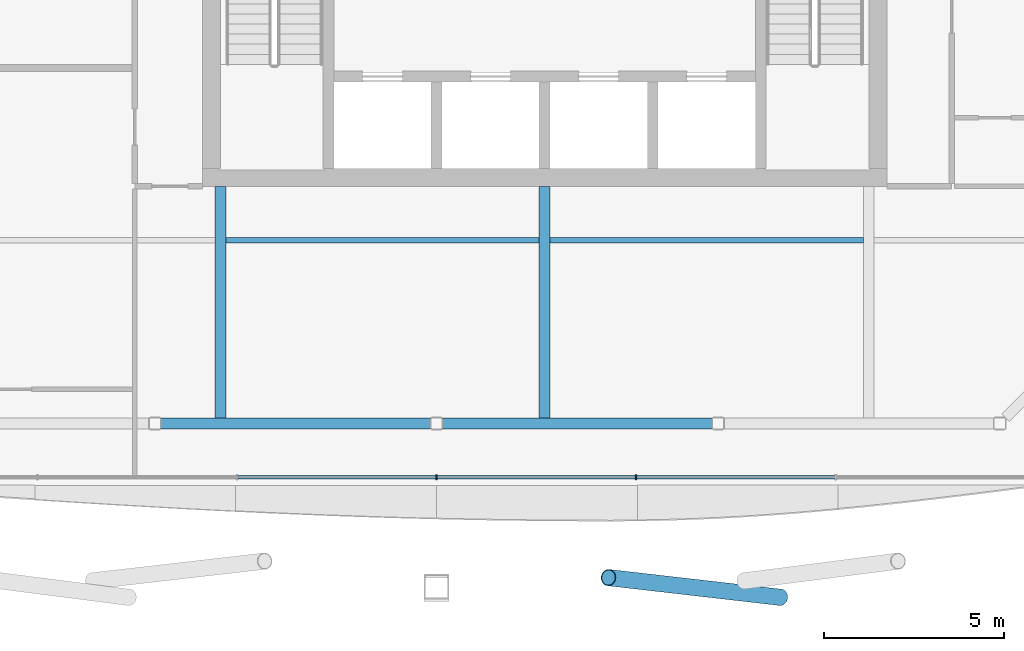
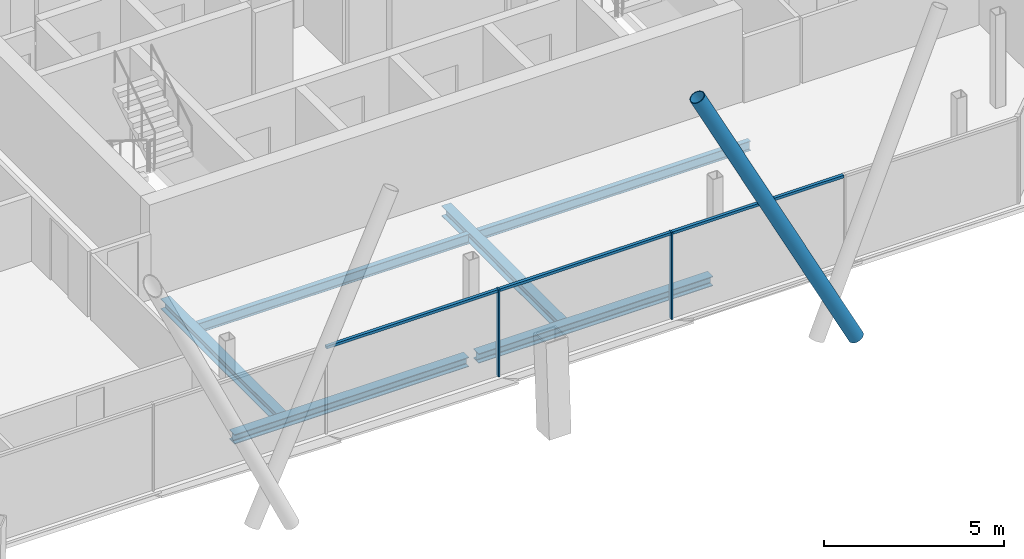
# One storey, part 4 of 19: 6 beams, 6 members, 1 element without a shape of its own.
"""IFC4 building model written with IfcOpenShell, lengths in metres."""

from ifc_helpers import new_model, si_unit, direction, frame, origin, origin_2d, place, context, subcontext, project, spatial, rectangle, hollow_circle, i_section, extrude, material, material_profile, profile_set, type_object, element, aggregate, save


model = new_model("IFC4")

# Units and contexts
model_context = context("Model", 3, precision=1e-05, world=origin(), true_north=direction((0.0, 1.0)))
body_context = subcontext(model_context, "Body", "Model", "MODEL_VIEW")
ifc_project = project(units=[si_unit("LENGTHUNIT", "METRE"), si_unit("AREAUNIT", "SQUARE_METRE"), si_unit("VOLUMEUNIT", "CUBIC_METRE"), si_unit("PLANEANGLEUNIT", "RADIAN"), si_unit("MASSUNIT", "GRAM", prefix="KILO")], contexts=[model_context])

# Site, building, storey
site_placement = place(None, origin())
site = spatial("IfcSite", under=ifc_project, at=site_placement, CompositionType="ELEMENT")
building_placement = place(site_placement, origin())
building = spatial("IfcBuilding", under=site, at=building_placement, Name="Tskaro Facet Tower", CompositionType="ELEMENT")
storey_placement = place(building_placement, frame((0.0, 0.0, 191.10009765625)))
storey = spatial("IfcBuildingStorey", under=building, at=storey_placement, Name="L48", CompositionType="ELEMENT", Elevation=191.10009765625)

# Member
ifc_material_1 = material(Name="Steel S355J2H", Category="steel")
ifc_material_profile_1 = material_profile(ifc_material_1, hollow_circle(Radius=0.228515625, WallThickness=0.02001953125, at=origin_2d()), Name="CHS 457x20")
ifc_profile_set_1 = profile_set([ifc_material_profile_1], Name="Steel S355J2H")
member_type_1 = type_object("IfcMemberType", Name="CHS 457x20 brace", PredefinedType="BRACE", material=ifc_profile_set_1)
member_1_placement = place(storey_placement, frame((6.54248046875, -23.408935546875, 0.0), z_axis=(-0.450104616296, 0.051659655854, 0.891480293863), x_axis=(-0.114024005645, -0.993477994792, 0.0)))
element("IfcMember", 1, at=member_1_placement, inside=storey, type_object=member_type_1, Name="CHS 457x20 XB02B/4", PredefinedType="BRACE", context=body_context, shape_type="SweptSolid", body=[
    extrude(hollow_circle(Radius=0.228515625, WallThickness=0.02001953125, at=origin_2d()), origin(), (0.0, 0.0, 1.0), 10.600341796875),
])

# Curtain wall, members
ifc_material_2 = material(Name="Bronze anodised aluminium 6063-T6", Category="aluminium")
curtain_wall_type = type_object("IfcCurtainWallType", Name="Bronze residence curtain wall (FW3)", PredefinedType="NOTDEFINED", material=ifc_material_2)
curtain_wall_placement = place(storey_placement, origin())
curtain_wall = element("IfcCurtainWall", 2, at=curtain_wall_placement, inside=storey, type_object=curtain_wall_type, Name="FW3 south facet L48", PredefinedType="NOTDEFINED")
ifc_material_profile_2 = material_profile(ifc_material_2, rectangle(XDim=0.050048828125, YDim=0.139892578125, at=origin_2d()), Name="Mullion 50x140")
ifc_profile_set_2 = profile_set([ifc_material_profile_2], Name="Bronze anodised aluminium 6063-T6")
member_type_2 = type_object("IfcMemberType", Name="FW3 bronze mullion 50x140", PredefinedType="MULLION", material=ifc_profile_set_2)
member_2_placement = place(storey_placement, frame((-3.0, -20.080078125, 0.0), z_axis=(0.0, 0.0, 1.0), x_axis=(1.0, 0.0, 0.0)))
member_2 = element("IfcMember", 3, at=member_2_placement, type_object=member_type_2, Name="FW3 south mullion 3", PredefinedType="MULLION", context=body_context, shape_type="SweptSolid", body=[
    extrude(rectangle(XDim=0.050048828125, YDim=0.139892578125, at=origin_2d()), origin(), (0.0, 0.0, 1.0), 2.949951171875),
])
member_3_placement = place(storey_placement, frame((2.539306640625, -20.080078125, 0.0), z_axis=(0.0, 0.0, 1.0), x_axis=(1.0, 0.0, 0.0)))
member_3 = element("IfcMember", 4, at=member_3_placement, type_object=member_type_2, Name="FW3 south mullion 4", PredefinedType="MULLION", context=body_context, shape_type="SweptSolid", body=[
    extrude(rectangle(XDim=0.050048828125, YDim=0.139892578125, at=origin_2d()), origin(), (0.0, 0.0, 1.0), 2.949951171875),
])
ifc_material_profile_3 = material_profile(ifc_material_2, rectangle(XDim=0.10009765625, YDim=0.090087890625, at=origin_2d()), Name="Transom 100x90")
ifc_profile_set_3 = profile_set([ifc_material_profile_3], Name="Bronze anodised aluminium 6063-T6")
member_type_3 = type_object("IfcMemberType", Name="FW3 bronze transom 100x90", PredefinedType="USERDEFINED", material=ifc_profile_set_3)
member_4_placement = place(storey_placement, frame((-8.514404296875, -20.080078125, 2.90478515625), z_axis=(1.0, 0.0, 0.0), x_axis=(0.0, 1.0, 0.0)))
member_4 = element("IfcMember", 5, at=member_4_placement, type_object=member_type_3, Name="FW3 south transom 3.1", ObjectType="TRANSOM", PredefinedType="USERDEFINED", context=body_context, shape_type="SweptSolid", body=[
    extrude(rectangle(XDim=0.10009765625, YDim=0.090087890625, at=origin_2d()), origin(), (0.0, 0.0, 1.0), 5.489501953125),
])
member_5_placement = place(storey_placement, frame((-2.97509765625, -20.080078125, 2.90478515625), z_axis=(1.0, 0.0, 0.0), x_axis=(0.0, 1.0, 0.0)))
member_5 = element("IfcMember", 6, at=member_5_placement, type_object=member_type_3, Name="FW3 south transom 4.1", ObjectType="TRANSOM", PredefinedType="USERDEFINED", context=body_context, shape_type="SweptSolid", body=[
    extrude(rectangle(XDim=0.10009765625, YDim=0.090087890625, at=origin_2d()), origin(), (0.0, 0.0, 1.0), 5.489501953125),
])
member_6_placement = place(storey_placement, frame((2.564453125, -20.080078125, 2.90478515625), z_axis=(1.0, 0.0, 0.0), x_axis=(0.0, 1.0, 0.0)))
member_6 = element("IfcMember", 7, at=member_6_placement, type_object=member_type_3, Name="FW3 south transom 5.1", ObjectType="TRANSOM", PredefinedType="USERDEFINED", context=body_context, shape_type="SweptSolid", body=[
    extrude(rectangle(XDim=0.10009765625, YDim=0.090087890625, at=origin_2d()), origin(), (0.0, 0.0, 1.0), 5.4892578125),
])
aggregate(curtain_wall, [member_2, member_3, member_4, member_5, member_6])

# Beams
ifc_material_3 = material(Name="Steel S355J2", Category="steel")
ifc_material_profile_4 = material_profile(ifc_material_3, i_section(OverallWidth=0.300048828125, OverallDepth=0.320068359375, WebThickness=0.011474609375, FlangeThickness=0.0205078125, FilletRadius=0.027099609375, at=origin_2d()), Name="HE 320 B")
ifc_profile_set_4 = profile_set([ifc_material_profile_4], Name="Steel S355J2")
beam_type_1 = type_object("IfcBeamType", Name="HE 320 B ring beam", PredefinedType="BEAM", material=ifc_profile_set_4)
beam_1_placement = place(storey_placement, frame((-10.660888671875, -18.5830078125, -0.300048828125), z_axis=(1.0, 0.0, 0.0), x_axis=(0.0, 1.0, 0.0)))
element("IfcBeam", 8, at=beam_1_placement, inside=storey, type_object=beam_type_1, Name="HE 320 B EB2-4", PredefinedType="BEAM", context=body_context, shape_type="SweptSolid", body=[
    extrude(i_section(OverallWidth=0.300048828125, OverallDepth=0.320068359375, WebThickness=0.011474609375, FlangeThickness=0.0205078125, FilletRadius=0.027099609375, at=origin_2d()), origin(), (0.0, 0.0, 1.0), 7.505859375),
])
beam_2_placement = place(storey_placement, frame((-2.844970703125, -18.5830078125, -0.300048828125), z_axis=(1.0, 0.0, 0.0), x_axis=(0.0, 1.0, 0.0)))
element("IfcBeam", 9, at=beam_2_placement, inside=storey, type_object=beam_type_1, Name="HE 320 B EB3-4", PredefinedType="BEAM", context=body_context, shape_type="SweptSolid", body=[
    extrude(i_section(OverallWidth=0.300048828125, OverallDepth=0.320068359375, WebThickness=0.011474609375, FlangeThickness=0.0205078125, FilletRadius=0.027099609375, at=origin_2d()), origin(), (0.0, 0.0, 1.0), 7.507080078125),
])
ifc_material_profile_5 = material_profile(ifc_material_3, i_section(OverallWidth=0.300048828125, OverallDepth=0.35009765625, WebThickness=0.010009765625, FlangeThickness=0.017578125, FilletRadius=0.027099609375, at=origin_2d()), Name="HE 360 A")
ifc_profile_set_5 = profile_set([ifc_material_profile_5], Name="Steel S355J2")
beam_type_2 = type_object("IfcBeamType", Name="HE 360 A girder", PredefinedType="BEAM", material=ifc_profile_set_5)
for number, where, z_axis, x_axis, name in (
    (10, (-9.0, -18.43310546875, -0.315185546875), (0.0, 1.0, 0.0), (-1.0, 0.0, 0.0), "HE 360 A GB3-1-4"),
    (11, (0.0, -18.43310546875, -0.315185546875), (0.0, 1.0, 0.0), (-1.0, 0.0, 0.0), "HE 360 A GB4-1-4"),
):
    element("IfcBeam", number, at=place(storey_placement, frame(where, z_axis=z_axis, x_axis=x_axis)), inside=storey, type_object=beam_type_2, Name=name, PredefinedType="BEAM", context=body_context, shape_type="SweptSolid", body=[
        extrude(i_section(OverallWidth=0.300048828125, OverallDepth=0.35009765625, WebThickness=0.010009765625, FlangeThickness=0.017578125, FilletRadius=0.027099609375, at=origin_2d()), origin(), (0.0, 0.0, 1.0), 6.43310546875),
    ])
ifc_material_profile_6 = material_profile(ifc_material_3, i_section(OverallWidth=0.159912109375, OverallDepth=0.330078125, WebThickness=0.007568359375, FlangeThickness=0.011474609375, FilletRadius=0.01806640625, at=origin_2d()), Name="IPE 330")
ifc_profile_set_6 = profile_set([ifc_material_profile_6], Name="Steel S355J2")
beam_type_3 = type_object("IfcBeamType", Name="IPE 330 secondary beam", PredefinedType="BEAM", material=ifc_profile_set_6)
for number, where, z_axis, x_axis, name in (
    (12, (-8.85009765625, -13.5, -0.30517578125), (1.0, 0.0, 0.0), (0.0, 1.0, 0.0), "IPE 330 SB2a-3-4"),
    (13, (0.14990234375, -13.5, -0.30517578125), (1.0, 0.0, 0.0), (0.0, 1.0, 0.0), "IPE 330 SB2a-4-4"),
):
    element("IfcBeam", number, at=place(storey_placement, frame(where, z_axis=z_axis, x_axis=x_axis)), inside=storey, type_object=beam_type_3, Name=name, PredefinedType="BEAM", context=body_context, shape_type="SweptSolid", body=[
        extrude(i_section(OverallWidth=0.159912109375, OverallDepth=0.330078125, WebThickness=0.007568359375, FlangeThickness=0.011474609375, FilletRadius=0.01806640625, at=origin_2d()), origin(), (0.0, 0.0, 1.0), 8.7001953125),
    ])

save(model, "model.ifc")
